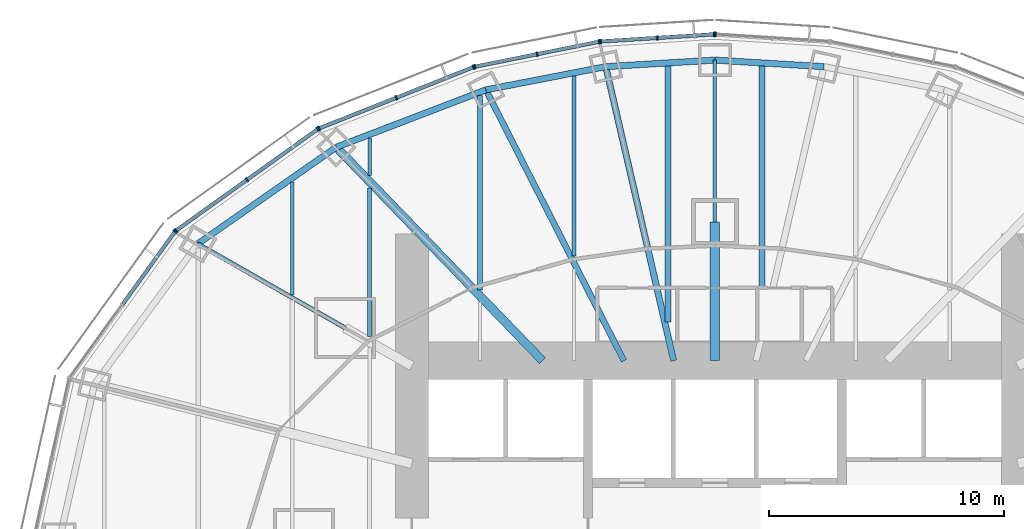
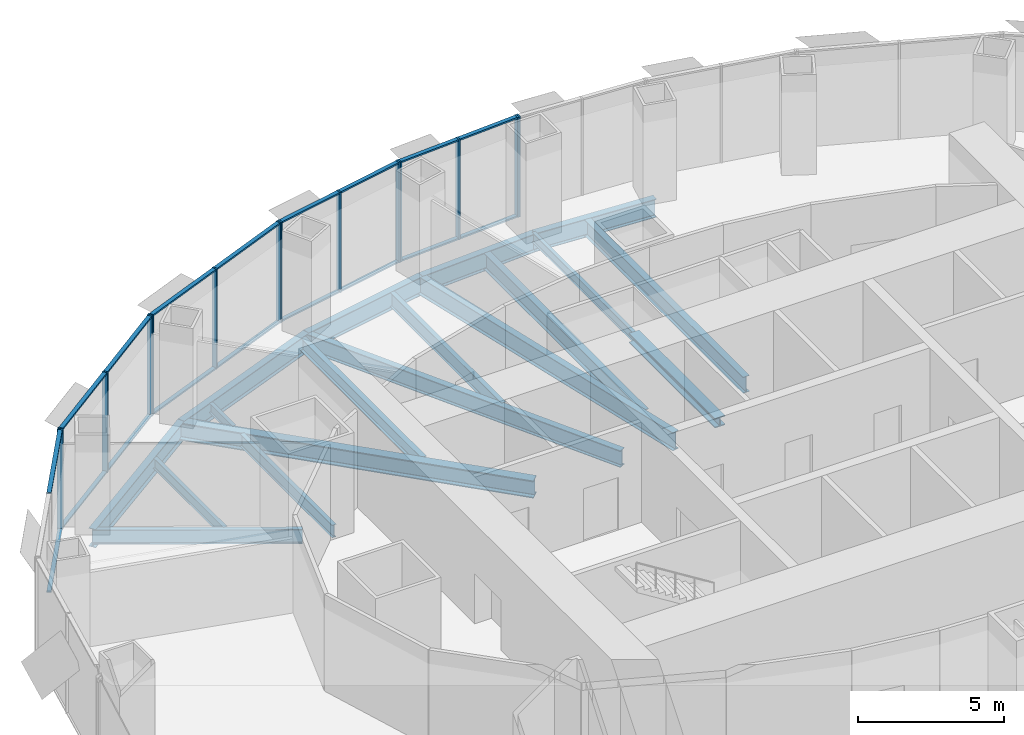
# One storey, part 7 of 18: 32 members, 18 beams, 6 elements without a shape of their own.
"""IFC4 building model written with IfcOpenShell, lengths in metres."""

from ifc_helpers import new_model, si_unit, direction, frame, origin, origin_2d, place, context, subcontext, project, spatial, rectangle, i_section, extrude, material, material_profile, profile_set, type_object, element, aggregate, save


model = new_model("IFC4")

# Units and contexts
model_context = context("Model", 3, precision=1e-05, world=origin(), true_north=direction((0.0, 1.0)))
body_context = subcontext(model_context, "Body", "Model", "MODEL_VIEW")
ifc_project = project(units=[si_unit("LENGTHUNIT", "METRE"), si_unit("AREAUNIT", "SQUARE_METRE"), si_unit("VOLUMEUNIT", "CUBIC_METRE"), si_unit("PLANEANGLEUNIT", "RADIAN"), si_unit("MASSUNIT", "GRAM", prefix="KILO")], contexts=[model_context])

# Site, building, storey
site_placement = place(None, origin())
site = spatial("IfcSite", under=ifc_project, at=site_placement, CompositionType="ELEMENT")
building_placement = place(site_placement, origin())
building = spatial("IfcBuilding", under=site, at=building_placement, Name="Lantaw Convention Tower", CompositionType="ELEMENT")
storey_placement = place(building_placement, frame((0.0, 0.0, 134.199951171875)))
storey = spatial("IfcBuildingStorey", under=building, at=storey_placement, Name="L31", CompositionType="ELEMENT", Elevation=134.199951171875)

# Beams
ifc_material_1 = material(Name="Steel ASTM A992", Category="steel")
ifc_material_profile_1 = material_profile(ifc_material_1, i_section(OverallWidth=0.2666015625, OverallDepth=0.76953125, WebThickness=0.015625, FlangeThickness=0.025390625, FilletRadius=0.0126953125, at=origin_2d()), Name="W30X132")
ifc_profile_set_1 = profile_set([ifc_material_profile_1], Name="Steel ASTM A992")
beam_type_1 = type_object("IfcBeamType", Name="Beam E W30X132", PredefinedType="SPANDREL", material=ifc_profile_set_1)
for number, where, z_axis, x_axis, name in (
    (1, (4.64501953125, 20.1201171875, -0.53466796875), (-0.998190892054, 0.06012439621, 0.0), (-0.06012439621, -0.998190892054, 0.0), "Edge beam 6"),
    (2, (0.0, 20.39990234375, -0.53466796875), (-0.998190892054, -0.06012439621, 0.0), (0.06012439621, -0.998190892054, 0.0), "Edge beam 7"),
):
    element("IfcBeam", number, at=place(storey_placement, frame(where, z_axis=z_axis, x_axis=x_axis)), inside=storey, type_object=beam_type_1, Name=name, PredefinedType="SPANDREL", context=body_context, shape_type="SweptSolid", body=[
        extrude(i_section(OverallWidth=0.2666015625, OverallDepth=0.76953125, WebThickness=0.015625, FlangeThickness=0.025390625, FilletRadius=0.0126953125, at=origin_2d()), origin(), (0.0, 0.0, 1.0), 4.6533203125),
    ])
beam_1_placement = place(storey_placement, frame((-4.64501953125, 20.1201171875, -0.53466796875), z_axis=(-0.981796805654, -0.189934284446, 0.0), x_axis=(0.189934284446, -0.981796805654, 0.0)))
element("IfcBeam", 3, at=beam_1_placement, inside=storey, type_object=beam_type_1, Name="Edge beam 8", PredefinedType="SPANDREL", context=body_context, shape_type="SweptSolid", body=[
    extrude(i_section(OverallWidth=0.2666015625, OverallDepth=0.76953125, WebThickness=0.015625, FlangeThickness=0.025390625, FilletRadius=0.0126953125, at=origin_2d()), origin(), (0.0, 0.0, 1.0), 5.1982421875),
])
beam_2_placement = place(storey_placement, frame((-9.74853515625, 19.1328125, -0.53466796875), z_axis=(-0.933691081977, -0.358079549033, 0.0), x_axis=(0.358079549033, -0.933691081977, 0.0)))
element("IfcBeam", 4, at=beam_2_placement, inside=storey, type_object=beam_type_1, Name="Edge beam 9", PredefinedType="SPANDREL", context=body_context, shape_type="SweptSolid", body=[
    extrude(i_section(OverallWidth=0.2666015625, OverallDepth=0.76953125, WebThickness=0.015625, FlangeThickness=0.025390625, FilletRadius=0.0126953125, at=origin_2d()), origin(), (0.0, 0.0, 1.0), 6.821533203125),
])
beam_3_placement = place(storey_placement, frame((-16.11767578125, 16.690185546875, -0.53466796875), z_axis=(-0.820310765287, -0.57191804339, 0.0), x_axis=(0.57191804339, -0.820310765287, 0.0)))
element("IfcBeam", 5, at=beam_3_placement, inside=storey, type_object=beam_type_1, Name="Edge beam 10", PredefinedType="SPANDREL", context=body_context, shape_type="SweptSolid", body=[
    extrude(i_section(OverallWidth=0.2666015625, OverallDepth=0.76953125, WebThickness=0.015625, FlangeThickness=0.025390625, FilletRadius=0.0126953125, at=origin_2d()), origin(), (0.0, 0.0, 1.0), 7.187744140625),
])
ifc_material_profile_2 = material_profile(ifc_material_1, i_section(OverallWidth=0.140380859375, OverallDepth=0.40380859375, WebThickness=0.007080078125, FlangeThickness=0.01123046875, FilletRadius=0.01025390625, at=origin_2d()), Name="W16X31")
ifc_profile_set_2 = profile_set([ifc_material_profile_2], Name="Steel ASTM A992")
beam_type_2 = type_object("IfcBeamType", Name="Beam G W16X31", PredefinedType="BEAM", material=ifc_profile_set_2)
beam_4_placement = place(storey_placement, frame((0.0, 13.5, -0.351806640625), z_axis=(0.0, 1.0, 0.0), x_axis=(-1.0, 0.0, 0.0)))
element("IfcBeam", 6, at=beam_4_placement, inside=storey, type_object=beam_type_2, Name="Floor girder on ray 7", PredefinedType="BEAM", context=body_context, shape_type="SweptSolid", body=[
    extrude(i_section(OverallWidth=0.140380859375, OverallDepth=0.40380859375, WebThickness=0.007080078125, FlangeThickness=0.01123046875, FilletRadius=0.01025390625, at=origin_2d()), origin(), (0.0, 0.0, 1.0), 6.89990234375),
])
ifc_material_profile_3 = material_profile(ifc_material_1, i_section(OverallWidth=0.177978515625, OverallDepth=0.599365234375, WebThickness=0.010009765625, FlangeThickness=0.012939453125, FilletRadius=0.012939453125, at=origin_2d()), Name="W24X55")
ifc_profile_set_3 = profile_set([ifc_material_profile_3], Name="Steel ASTM A992")
beam_type_3 = type_object("IfcBeamType", Name="Beam G W24X55", PredefinedType="BEAM", material=ifc_profile_set_3)
beam_5_placement = place(storey_placement, frame((-15.75, 9.0, -0.44970703125), z_axis=(-0.868245224608, 0.496135293993, 0.0), x_axis=(-0.496135293993, -0.868245224608, 0.0)))
element("IfcBeam", 7, at=beam_5_placement, inside=storey, type_object=beam_type_3, Name="Floor girder on ray 11", PredefinedType="BEAM", context=body_context, shape_type="SweptSolid", body=[
    extrude(i_section(OverallWidth=0.177978515625, OverallDepth=0.599365234375, WebThickness=0.010009765625, FlangeThickness=0.012939453125, FilletRadius=0.012939453125, at=origin_2d()), origin(), (0.0, 0.0, 1.0), 7.21435546875),
])
ifc_material_profile_4 = material_profile(ifc_material_1, i_section(OverallWidth=0.25390625, OverallDepth=0.700927734375, WebThickness=0.015380859375, FlangeThickness=0.02783203125, FilletRadius=0.01513671875, at=origin_2d()), Name="W27X129")
ifc_profile_set_4 = profile_set([ifc_material_profile_4], Name="Steel ASTM A992")
beam_type_4 = type_object("IfcBeamType", Name="Beam G W27X129", PredefinedType="BEAM", material=ifc_profile_set_4)
beam_6_placement = place(storey_placement, frame((-3.872314453125, 7.60009765625, -0.50048828125), z_axis=(-0.453991051051, 0.891006243281, 0.0), x_axis=(-0.891006243281, -0.453991051051, 0.0)))
element("IfcBeam", 8, at=beam_6_placement, inside=storey, type_object=beam_type_4, Name="Floor girder on ray 9", PredefinedType="BEAM", context=body_context, shape_type="SweptSolid", body=[
    extrude(i_section(OverallWidth=0.25390625, OverallDepth=0.700927734375, WebThickness=0.015380859375, FlangeThickness=0.02783203125, FilletRadius=0.01513671875, at=origin_2d()), origin(), (0.0, 0.0, 1.0), 12.943359375),
])
ifc_material_profile_5 = material_profile(ifc_material_1, i_section(OverallWidth=0.360595703125, OverallDepth=0.72900390625, WebThickness=0.023193359375, FlangeThickness=0.041015625, FilletRadius=0.0126953125, at=origin_2d()), Name="W27X235")
ifc_profile_set_5 = profile_set([ifc_material_profile_5], Name="Steel ASTM A992")
beam_type_5 = type_object("IfcBeamType", Name="Beam G W27X235", PredefinedType="BEAM", material=ifc_profile_set_5)
beam_7_placement = place(storey_placement, frame((-7.33935546875, 7.60009765625, -0.514404296875), z_axis=(-0.694663467407, 0.719334878239, 0.0), x_axis=(-0.719334878239, -0.694663467407, 0.0)))
element("IfcBeam", 9, at=beam_7_placement, inside=storey, type_object=beam_type_5, Name="Floor girder on ray 10", PredefinedType="BEAM", context=body_context, shape_type="SweptSolid", body=[
    extrude(i_section(OverallWidth=0.360595703125, OverallDepth=0.72900390625, WebThickness=0.023193359375, FlangeThickness=0.041015625, FilletRadius=0.0126953125, at=origin_2d()), origin(), (0.0, 0.0, 1.0), 12.63671875),
])
ifc_material_profile_6 = material_profile(ifc_material_1, i_section(OverallWidth=0.2666015625, OverallDepth=0.7568359375, WebThickness=0.013916015625, FlangeThickness=0.019287109375, FilletRadius=0.0126953125, at=origin_2d()), Name="W30X108")
ifc_profile_set_6 = profile_set([ifc_material_profile_6], Name="Steel ASTM A992")
beam_type_6 = type_object("IfcBeamType", Name="Beam G W30X108", PredefinedType="BEAM", material=ifc_profile_set_6)
beam_8_placement = place(storey_placement, frame((-1.754638671875, 7.60009765625, -0.5283203125), z_axis=(-0.224944153104, 0.974371658036, 0.0), x_axis=(-0.974371658036, -0.224944153104, 0.0)))
element("IfcBeam", 10, at=beam_8_placement, inside=storey, type_object=beam_type_6, Name="Floor girder on ray 8", PredefinedType="BEAM", context=body_context, shape_type="SweptSolid", body=[
    extrude(i_section(OverallWidth=0.2666015625, OverallDepth=0.7568359375, WebThickness=0.013916015625, FlangeThickness=0.019287109375, FilletRadius=0.0126953125, at=origin_2d()), origin(), (0.0, 0.0, 1.0), 12.849365234375),
])
ifc_material_profile_7 = material_profile(ifc_material_1, i_section(OverallWidth=0.40380859375, OverallDepth=0.406494140625, WebThickness=0.027099609375, FlangeThickness=0.043701171875, FilletRadius=0.01513671875, at=origin_2d()), Name="W14X233")
ifc_profile_set_7 = profile_set([ifc_material_profile_7], Name="Steel ASTM A992")
beam_type_7 = type_object("IfcBeamType", Name="Beam GM W14X233", PredefinedType="BEAM", material=ifc_profile_set_7)
beam_9_placement = place(storey_placement, frame((0.0, 7.60009765625, -0.353271484375), z_axis=(0.0, 1.0, 0.0), x_axis=(-1.0, 0.0, 0.0)))
element("IfcBeam", 11, at=beam_9_placement, inside=storey, type_object=beam_type_7, Name="Core link beam on ray 7", PredefinedType="BEAM", context=body_context, shape_type="SweptSolid", body=[
    extrude(i_section(OverallWidth=0.40380859375, OverallDepth=0.406494140625, WebThickness=0.027099609375, FlangeThickness=0.043701171875, FilletRadius=0.01513671875, at=origin_2d()), origin(), (0.0, 0.0, 1.0), 5.89990234375),
])
ifc_material_profile_8 = material_profile(ifc_material_1, i_section(OverallWidth=0.140380859375, OverallDepth=0.40380859375, WebThickness=0.007080078125, FlangeThickness=0.01123046875, FilletRadius=0.01025390625, at=origin_2d()), Name="W16X31")
ifc_profile_set_8 = profile_set([ifc_material_profile_8], Name="Steel ASTM A992")
beam_type_8 = type_object("IfcBeamType", Name="Beam J W16X31", PredefinedType="JOIST", material=ifc_profile_set_8)
beam_10_placement = place(storey_placement, frame((-14.699951171875, 15.48193359375, -0.351806640625), z_axis=(0.0, 1.0, 0.0), x_axis=(-1.0, 0.0, 0.0)))
element("IfcBeam", 12, at=beam_10_placement, inside=storey, type_object=beam_type_8, Name="Floor joist", PredefinedType="JOIST", context=body_context, shape_type="SweptSolid", body=[
    extrude(i_section(OverallWidth=0.140380859375, OverallDepth=0.40380859375, WebThickness=0.007080078125, FlangeThickness=0.01123046875, FilletRadius=0.01025390625, at=origin_2d()), origin(), (0.0, 0.0, 1.0), 1.609130859375),
])
ifc_material_profile_9 = material_profile(ifc_material_1, i_section(OverallWidth=0.15234375, OverallDepth=0.449462890625, WebThickness=0.007568359375, FlangeThickness=0.0107421875, FilletRadius=0.01025390625, at=origin_2d()), Name="W18X35")
ifc_profile_set_9 = profile_set([ifc_material_profile_9], Name="Steel ASTM A992")
beam_type_9 = type_object("IfcBeamType", Name="Beam J W18X35", PredefinedType="JOIST", material=ifc_profile_set_9)
beam_11_placement = place(storey_placement, frame((-18.0, 10.38818359375, -0.374755859375), z_axis=(0.0, 1.0, 0.0), x_axis=(-1.0, 0.0, 0.0)))
element("IfcBeam", 13, at=beam_11_placement, inside=storey, type_object=beam_type_9, Name="Floor joist", PredefinedType="JOIST", context=body_context, shape_type="SweptSolid", body=[
    extrude(i_section(OverallWidth=0.15234375, OverallDepth=0.449462890625, WebThickness=0.007568359375, FlangeThickness=0.0107421875, FilletRadius=0.01025390625, at=origin_2d()), origin(), (0.0, 0.0, 1.0), 4.8271484375),
])
ifc_material_profile_10 = material_profile(ifc_material_1, i_section(OverallWidth=0.1650390625, OverallDepth=0.52587890625, WebThickness=0.0087890625, FlangeThickness=0.011474609375, FilletRadius=0.0126953125, at=origin_2d()), Name="W21X44")
ifc_profile_set_10 = profile_set([ifc_material_profile_10], Name="Steel ASTM A992")
beam_type_10 = type_object("IfcBeamType", Name="Beam J W21X44", PredefinedType="JOIST", material=ifc_profile_set_10)
beam_12_placement = place(storey_placement, frame((-14.699951171875, 8.632568359375, -0.412841796875), z_axis=(0.0, 1.0, 0.0), x_axis=(-1.0, 0.0, 0.0)))
element("IfcBeam", 14, at=beam_12_placement, inside=storey, type_object=beam_type_10, Name="Floor joist", PredefinedType="JOIST", context=body_context, shape_type="SweptSolid", body=[
    extrude(i_section(OverallWidth=0.1650390625, OverallDepth=0.52587890625, WebThickness=0.0087890625, FlangeThickness=0.011474609375, FilletRadius=0.0126953125, at=origin_2d()), origin(), (0.0, 0.0, 1.0), 6.330078125),
])
ifc_material_profile_11 = material_profile(ifc_material_1, i_section(OverallWidth=0.2099609375, OverallDepth=0.535888671875, WebThickness=0.010986328125, FlangeThickness=0.017333984375, FilletRadius=0.012939453125, at=origin_2d()), Name="W21X68")
ifc_profile_set_11 = profile_set([ifc_material_profile_11], Name="Steel ASTM A992")
beam_type_11 = type_object("IfcBeamType", Name="Beam J W21X68", PredefinedType="JOIST", material=ifc_profile_set_11)
beam_13_placement = place(storey_placement, frame((-10.0, 10.614990234375, -0.41796875), z_axis=(0.0, 1.0, 0.0), x_axis=(-1.0, 0.0, 0.0)))
element("IfcBeam", 15, at=beam_13_placement, inside=storey, type_object=beam_type_11, Name="Floor joist", PredefinedType="JOIST", context=body_context, shape_type="SweptSolid", body=[
    extrude(i_section(OverallWidth=0.2099609375, OverallDepth=0.535888671875, WebThickness=0.010986328125, FlangeThickness=0.017333984375, FilletRadius=0.012939453125, at=origin_2d()), origin(), (0.0, 0.0, 1.0), 8.278564453125),
])
ifc_material_profile_12 = material_profile(ifc_material_1, i_section(OverallWidth=0.177978515625, OverallDepth=0.599365234375, WebThickness=0.010009765625, FlangeThickness=0.012939453125, FilletRadius=0.012939453125, at=origin_2d()), Name="W24X55")
ifc_profile_set_12 = profile_set([ifc_material_profile_12], Name="Steel ASTM A992")
beam_type_12 = type_object("IfcBeamType", Name="Beam J W24X55", PredefinedType="JOIST", material=ifc_profile_set_12)
beam_14_placement = place(storey_placement, frame((-6.0, 12.055419921875, -0.44970703125), z_axis=(0.0, 1.0, 0.0), x_axis=(-1.0, 0.0, 0.0)))
element("IfcBeam", 16, at=beam_14_placement, inside=storey, type_object=beam_type_12, Name="Floor joist", PredefinedType="JOIST", context=body_context, shape_type="SweptSolid", body=[
    extrude(i_section(OverallWidth=0.177978515625, OverallDepth=0.599365234375, WebThickness=0.010009765625, FlangeThickness=0.012939453125, FilletRadius=0.012939453125, at=origin_2d()), origin(), (0.0, 0.0, 1.0), 7.666748046875),
])
ifc_material_profile_13 = material_profile(ifc_material_1, i_section(OverallWidth=0.25390625, OverallDepth=0.683349609375, WebThickness=0.012451171875, FlangeThickness=0.01904296875, FilletRadius=0.01513671875, at=origin_2d()), Name="W27X94")
ifc_profile_set_13 = profile_set([ifc_material_profile_13], Name="Steel ASTM A992")
beam_type_13 = type_object("IfcBeamType", Name="Beam J W27X94", PredefinedType="JOIST", material=ifc_profile_set_13)
for number, where, z_axis, x_axis, name in (
    (17, (-2.0, 9.255859375, -0.49169921875), (0.0, 1.0, 0.0), (-1.0, 0.0, 0.0), "Floor joist"),
    (18, (2.0, 9.255859375, -0.49169921875), (0.0, 1.0, 0.0), (-1.0, 0.0, 0.0), "Floor joist"),
):
    element("IfcBeam", number, at=place(storey_placement, frame(where, z_axis=z_axis, x_axis=x_axis)), inside=storey, type_object=beam_type_13, Name=name, PredefinedType="JOIST", context=body_context, shape_type="SweptSolid", body=[
        extrude(i_section(OverallWidth=0.25390625, OverallDepth=0.683349609375, WebThickness=0.012451171875, FlangeThickness=0.01904296875, FilletRadius=0.01513671875, at=origin_2d()), origin(), (0.0, 0.0, 1.0), 10.889892578125),
    ])

# Curtain wall, member
ifc_material_2 = material(Name="Aluminium framed curtain wall", Category="aluminium")
curtain_wall_type = type_object("IfcCurtainWallType", Name="Office curtain wall low rise, pale aluminium", PredefinedType="USERDEFINED", material=ifc_material_2)
curtain_wall_1_placement = place(storey_placement, origin())
curtain_wall_1 = element("IfcCurtainWall", 19, at=curtain_wall_1_placement, inside=storey, type_object=curtain_wall_type, Name="Office curtain wall low rise, pale aluminium L31", ObjectType="UNITISED CURTAIN WALL", PredefinedType="USERDEFINED")
ifc_material_3 = material(Name="Aluminium 6063-T6", Category="aluminium")
ifc_material_profile_14 = material_profile(ifc_material_3, rectangle(XDim=0.199951171875, YDim=0.06494140625, at=origin_2d()), Name="CW-O1 mullion 65x200")
ifc_profile_set_14 = profile_set([ifc_material_profile_14], Name="Aluminium 6063-T6")
member_type_1 = type_object("IfcMemberType", Name="CW-O1 mullion 65x200", PredefinedType="MULLION", material=ifc_profile_set_14)
member_1_placement = place(storey_placement, frame((0.032470703125, 21.498046875, -0.14990234375), z_axis=(0.0, 0.0, 1.0), x_axis=(-0.062865059466, -0.998022035978, 0.0)))
member_1 = element("IfcMember", 20, at=member_1_placement, type_object=member_type_1, Name="CW-O1 mullion 3", PredefinedType="MULLION", context=body_context, shape_type="SweptSolid", body=[
    extrude(rectangle(XDim=0.199951171875, YDim=0.06494140625, at=origin_2d()), origin(), (0.0, 0.0, 1.0), 4.199951171875),
])
aggregate(curtain_wall_1, [member_1])

# Curtain wall, members
curtain_wall_2_placement = place(storey_placement, origin())
curtain_wall_2 = element("IfcCurtainWall", 21, at=curtain_wall_2_placement, inside=storey, type_object=curtain_wall_type, Name="Office curtain wall low rise, pale aluminium L31", ObjectType="UNITISED CURTAIN WALL", PredefinedType="USERDEFINED")
member_2_placement = place(storey_placement, frame((-0.032470703125, 21.498046875, -0.14990234375), z_axis=(0.0, 0.0, 1.0), x_axis=(0.062865059466, -0.998022035978, 0.0)))
member_2 = element("IfcMember", 22, at=member_2_placement, type_object=member_type_1, Name="CW-O1 mullion 1", PredefinedType="MULLION", context=body_context, shape_type="SweptSolid", body=[
    extrude(rectangle(XDim=0.199951171875, YDim=0.06494140625, at=origin_2d()), origin(), (0.0, 0.0, 1.0), 4.199951171875),
])
member_3_placement = place(storey_placement, frame((-2.4462890625, 21.345947265625, -0.14990234375), z_axis=(0.0, 0.0, 1.0), x_axis=(0.062865059466, -0.998022035978, 0.0)))
member_3 = element("IfcMember", 23, at=member_3_placement, type_object=member_type_1, Name="CW-O1 mullion 2", PredefinedType="MULLION", context=body_context, shape_type="SweptSolid", body=[
    extrude(rectangle(XDim=0.199951171875, YDim=0.06494140625, at=origin_2d()), origin(), (0.0, 0.0, 1.0), 4.199951171875),
])
member_4_placement = place(storey_placement, frame((-4.860107421875, 21.19384765625, -0.14990234375), z_axis=(0.0, 0.0, 1.0), x_axis=(0.062865059466, -0.998022035978, 0.0)))
member_4 = element("IfcMember", 24, at=member_4_placement, type_object=member_type_1, Name="CW-O1 mullion 3", PredefinedType="MULLION", context=body_context, shape_type="SweptSolid", body=[
    extrude(rectangle(XDim=0.199951171875, YDim=0.06494140625, at=origin_2d()), origin(), (0.0, 0.0, 1.0), 4.199951171875),
])

curtain_wall_3_placement = place(storey_placement, origin())
curtain_wall_3 = element("IfcCurtainWall", 25, at=curtain_wall_3_placement, inside=storey, type_object=curtain_wall_type, Name="Office curtain wall low rise, pale aluminium L31", ObjectType="UNITISED CURTAIN WALL", PredefinedType="USERDEFINED")
member_5_placement = place(storey_placement, frame((-4.92431640625, 21.185302734375, -0.14990234375), z_axis=(0.0, 0.0, 1.0), x_axis=(0.197506809659, -0.980301514912, 0.0)))
member_5 = element("IfcMember", 26, at=member_5_placement, type_object=member_type_1, Name="CW-O1 mullion 1", PredefinedType="MULLION", context=body_context, shape_type="SweptSolid", body=[
    extrude(rectangle(XDim=0.199951171875, YDim=0.06494140625, at=origin_2d()), origin(), (0.0, 0.0, 1.0), 4.199951171875),
])
member_6_placement = place(storey_placement, frame((-7.5703125, 20.65234375, -0.14990234375), z_axis=(0.0, 0.0, 1.0), x_axis=(0.197506809659, -0.980301514912, 0.0)))
member_6 = element("IfcMember", 27, at=member_6_placement, type_object=member_type_1, Name="CW-O1 mullion 2", PredefinedType="MULLION", context=body_context, shape_type="SweptSolid", body=[
    extrude(rectangle(XDim=0.199951171875, YDim=0.06494140625, at=origin_2d()), origin(), (0.0, 0.0, 1.0), 4.199951171875),
])
member_7_placement = place(storey_placement, frame((-10.216064453125, 20.119140625, -0.14990234375), z_axis=(0.0, 0.0, 1.0), x_axis=(0.197506809659, -0.980301514912, 0.0)))
member_7 = element("IfcMember", 28, at=member_7_placement, type_object=member_type_1, Name="CW-O1 mullion 3", PredefinedType="MULLION", context=body_context, shape_type="SweptSolid", body=[
    extrude(rectangle(XDim=0.199951171875, YDim=0.06494140625, at=origin_2d()), origin(), (0.0, 0.0, 1.0), 4.199951171875),
])

curtain_wall_4_placement = place(storey_placement, origin())
curtain_wall_4 = element("IfcCurtainWall", 29, at=curtain_wall_4_placement, inside=storey, type_object=curtain_wall_type, Name="Office curtain wall low rise, pale aluminium L31", ObjectType="UNITISED CURTAIN WALL", PredefinedType="USERDEFINED")
member_8_placement = place(storey_placement, frame((-10.2783203125, 20.100830078125, -0.14990234375), z_axis=(0.0, 0.0, 1.0), x_axis=(0.368701907483, -0.929547687544, 0.0)))
member_8 = element("IfcMember", 30, at=member_8_placement, type_object=member_type_1, Name="CW-O1 mullion 1", PredefinedType="MULLION", context=body_context, shape_type="SweptSolid", body=[
    extrude(rectangle(XDim=0.199951171875, YDim=0.06494140625, at=origin_2d()), origin(), (0.0, 0.0, 1.0), 4.199951171875),
])
member_9_placement = place(storey_placement, frame((-13.56494140625, 18.797119140625, -0.14990234375), z_axis=(0.0, 0.0, 1.0), x_axis=(0.368701907483, -0.929547687544, 0.0)))
member_9 = element("IfcMember", 31, at=member_9_placement, type_object=member_type_1, Name="CW-O1 mullion 2", PredefinedType="MULLION", context=body_context, shape_type="SweptSolid", body=[
    extrude(rectangle(XDim=0.199951171875, YDim=0.06494140625, at=origin_2d()), origin(), (0.0, 0.0, 1.0), 4.199951171875),
])
member_10_placement = place(storey_placement, frame((-16.8515625, 17.49365234375, -0.14990234375), z_axis=(0.0, 0.0, 1.0), x_axis=(0.368701907483, -0.929547687544, 0.0)))
member_10 = element("IfcMember", 32, at=member_10_placement, type_object=member_type_1, Name="CW-O1 mullion 3", PredefinedType="MULLION", context=body_context, shape_type="SweptSolid", body=[
    extrude(rectangle(XDim=0.199951171875, YDim=0.06494140625, at=origin_2d()), origin(), (0.0, 0.0, 1.0), 4.199951171875),
])

curtain_wall_5_placement = place(storey_placement, origin())
curtain_wall_5 = element("IfcCurtainWall", 33, at=curtain_wall_5_placement, inside=storey, type_object=curtain_wall_type, Name="Office curtain wall low rise, pale aluminium L31", ObjectType="UNITISED CURTAIN WALL", PredefinedType="USERDEFINED")
member_11_placement = place(storey_placement, frame((-16.908203125, 17.462646484375, -0.14990234375), z_axis=(0.0, 0.0, 1.0), x_axis=(0.581972695693, -0.813208325995, 0.0)))
member_11 = element("IfcMember", 34, at=member_11_placement, type_object=member_type_1, Name="CW-O1 mullion 1", PredefinedType="MULLION", context=body_context, shape_type="SweptSolid", body=[
    extrude(rectangle(XDim=0.199951171875, YDim=0.06494140625, at=origin_2d()), origin(), (0.0, 0.0, 1.0), 4.199951171875),
])
member_12_placement = place(storey_placement, frame((-19.92529296875, 15.303466796875, -0.14990234375), z_axis=(0.0, 0.0, 1.0), x_axis=(0.581972695693, -0.813208325995, 0.0)))
member_12 = element("IfcMember", 35, at=member_12_placement, type_object=member_type_1, Name="CW-O1 mullion 2", PredefinedType="MULLION", context=body_context, shape_type="SweptSolid", body=[
    extrude(rectangle(XDim=0.199951171875, YDim=0.06494140625, at=origin_2d()), origin(), (0.0, 0.0, 1.0), 4.199951171875),
])
member_13_placement = place(storey_placement, frame((-22.942626953125, 13.14404296875, -0.14990234375), z_axis=(0.0, 0.0, 1.0), x_axis=(0.581972695693, -0.813208325995, 0.0)))
member_13 = element("IfcMember", 36, at=member_13_placement, type_object=member_type_1, Name="CW-O1 mullion 3", PredefinedType="MULLION", context=body_context, shape_type="SweptSolid", body=[
    extrude(rectangle(XDim=0.199951171875, YDim=0.06494140625, at=origin_2d()), origin(), (0.0, 0.0, 1.0), 4.199951171875),
])

# Curtain wall, member
curtain_wall_6_placement = place(storey_placement, origin())
curtain_wall_6 = element("IfcCurtainWall", 37, at=curtain_wall_6_placement, inside=storey, type_object=curtain_wall_type, Name="Office curtain wall low rise, pale aluminium L31", ObjectType="UNITISED CURTAIN WALL", PredefinedType="USERDEFINED")
member_14_placement = place(storey_placement, frame((-22.988037109375, 13.098876953125, -0.14990234375), z_axis=(0.0, 0.0, 1.0), x_axis=(0.811384633629, -0.584512597221, 0.0)))
member_14 = element("IfcMember", 38, at=member_14_placement, type_object=member_type_1, Name="CW-O1 mullion 1", PredefinedType="MULLION", context=body_context, shape_type="SweptSolid", body=[
    extrude(rectangle(XDim=0.199951171875, YDim=0.06494140625, at=origin_2d()), origin(), (0.0, 0.0, 1.0), 4.199951171875),
])

# Member
ifc_material_profile_15 = material_profile(ifc_material_3, rectangle(XDim=0.159912109375, YDim=0.06494140625, at=origin_2d()), Name="CW-O1 transom 65x160")
ifc_profile_set_15 = profile_set([ifc_material_profile_15], Name="Aluminium 6063-T6")
member_type_2 = type_object("IfcMemberType", Name="CW-O1 transom 65x160", PredefinedType="USERDEFINED", material=ifc_profile_set_15)
member_15_placement = place(storey_placement, frame((-0.06494140625, 21.495849609375, -0.117431640625), z_axis=(-0.998022188463, -0.062862638625, 0.0), x_axis=(0.062862638625, -0.998022188463, 0.0)))
member_15 = element("IfcMember", 39, at=member_15_placement, type_object=member_type_2, Name="CW-O1 transom 1.1", ObjectType="TRANSOM", PredefinedType="USERDEFINED", context=body_context, shape_type="SweptSolid", body=[
    extrude(rectangle(XDim=0.159912109375, YDim=0.06494140625, at=origin_2d()), origin(), (0.0, 0.0, 1.0), 2.353515625),
])

member_16_placement = place(storey_placement, frame((-0.06494140625, 21.495849609375, 4.017578125), z_axis=(-0.998022188463, -0.062862638625, 0.0), x_axis=(0.062862638625, -0.998022188463, 0.0)))
member_16 = element("IfcMember", 40, at=member_16_placement, type_object=member_type_2, Name="CW-O1 transom 1.2", ObjectType="TRANSOM", PredefinedType="USERDEFINED", context=body_context, shape_type="SweptSolid", body=[
    extrude(rectangle(XDim=0.159912109375, YDim=0.06494140625, at=origin_2d()), origin(), (0.0, 0.0, 1.0), 2.353515625),
])

member_17_placement = place(storey_placement, frame((-2.478759765625, 21.34375, -0.117431640625), z_axis=(-0.998022188463, -0.062862638625, 0.0), x_axis=(0.062862638625, -0.998022188463, 0.0)))
member_17 = element("IfcMember", 41, at=member_17_placement, type_object=member_type_2, Name="CW-O1 transom 2.1", ObjectType="TRANSOM", PredefinedType="USERDEFINED", context=body_context, shape_type="SweptSolid", body=[
    extrude(rectangle(XDim=0.159912109375, YDim=0.06494140625, at=origin_2d()), origin(), (0.0, 0.0, 1.0), 2.353515625),
])

member_18_placement = place(storey_placement, frame((-2.478759765625, 21.34375, 4.017578125), z_axis=(-0.998022188463, -0.062862638625, 0.0), x_axis=(0.062862638625, -0.998022188463, 0.0)))
member_18 = element("IfcMember", 42, at=member_18_placement, type_object=member_type_2, Name="CW-O1 transom 2.2", ObjectType="TRANSOM", PredefinedType="USERDEFINED", context=body_context, shape_type="SweptSolid", body=[
    extrude(rectangle(XDim=0.159912109375, YDim=0.06494140625, at=origin_2d()), origin(), (0.0, 0.0, 1.0), 2.353515625),
])

aggregate(curtain_wall_2, [member_2, member_3, member_4, member_15, member_16, member_17, member_18])

member_19_placement = place(storey_placement, frame((-4.956298828125, 21.178955078125, -0.117431640625), z_axis=(-0.980298027092, -0.197524120247, 0.0), x_axis=(0.197524120247, -0.980298027092, 0.0)))
member_19 = element("IfcMember", 43, at=member_19_placement, type_object=member_type_2, Name="CW-O1 transom 1.1", ObjectType="TRANSOM", PredefinedType="USERDEFINED", context=body_context, shape_type="SweptSolid", body=[
    extrude(rectangle(XDim=0.159912109375, YDim=0.06494140625, at=origin_2d()), origin(), (0.0, 0.0, 1.0), 2.634033203125),
])

member_20_placement = place(storey_placement, frame((-4.956298828125, 21.178955078125, 4.017578125), z_axis=(-0.980298027092, -0.197524120247, 0.0), x_axis=(0.197524120247, -0.980298027092, 0.0)))
member_20 = element("IfcMember", 44, at=member_20_placement, type_object=member_type_2, Name="CW-O1 transom 1.2", ObjectType="TRANSOM", PredefinedType="USERDEFINED", context=body_context, shape_type="SweptSolid", body=[
    extrude(rectangle(XDim=0.159912109375, YDim=0.06494140625, at=origin_2d()), origin(), (0.0, 0.0, 1.0), 2.634033203125),
])

member_21_placement = place(storey_placement, frame((-7.60205078125, 20.64599609375, -0.117431640625), z_axis=(-0.980301643003, -0.197506173891, 0.0), x_axis=(0.197506173891, -0.980301643003, 0.0)))
member_21 = element("IfcMember", 45, at=member_21_placement, type_object=member_type_2, Name="CW-O1 transom 2.1", ObjectType="TRANSOM", PredefinedType="USERDEFINED", context=body_context, shape_type="SweptSolid", body=[
    extrude(rectangle(XDim=0.159912109375, YDim=0.06494140625, at=origin_2d()), origin(), (0.0, 0.0, 1.0), 2.63427734375),
])

member_22_placement = place(storey_placement, frame((-7.60205078125, 20.64599609375, 4.017578125), z_axis=(-0.980301643003, -0.197506173891, 0.0), x_axis=(0.197506173891, -0.980301643003, 0.0)))
member_22 = element("IfcMember", 46, at=member_22_placement, type_object=member_type_2, Name="CW-O1 transom 2.2", ObjectType="TRANSOM", PredefinedType="USERDEFINED", context=body_context, shape_type="SweptSolid", body=[
    extrude(rectangle(XDim=0.159912109375, YDim=0.06494140625, at=origin_2d()), origin(), (0.0, 0.0, 1.0), 2.63427734375),
])

aggregate(curtain_wall_3, [member_5, member_6, member_7, member_19, member_20, member_21, member_22])

member_23_placement = place(storey_placement, frame((-10.308349609375, 20.0888671875, -0.117431640625), z_axis=(-0.929540081544, -0.368721082668, 0.0), x_axis=(0.368721082668, -0.929540081544, 0.0)))
member_23 = element("IfcMember", 47, at=member_23_placement, type_object=member_type_2, Name="CW-O1 transom 1.1", ObjectType="TRANSOM", PredefinedType="USERDEFINED", context=body_context, shape_type="SweptSolid", body=[
    extrude(rectangle(XDim=0.159912109375, YDim=0.06494140625, at=origin_2d()), origin(), (0.0, 0.0, 1.0), 3.470947265625),
])

member_24_placement = place(storey_placement, frame((-10.308349609375, 20.0888671875, 4.017578125), z_axis=(-0.929540081544, -0.368721082668, 0.0), x_axis=(0.368721082668, -0.929540081544, 0.0)))
member_24 = element("IfcMember", 48, at=member_24_placement, type_object=member_type_2, Name="CW-O1 transom 1.2", ObjectType="TRANSOM", PredefinedType="USERDEFINED", context=body_context, shape_type="SweptSolid", body=[
    extrude(rectangle(XDim=0.159912109375, YDim=0.06494140625, at=origin_2d()), origin(), (0.0, 0.0, 1.0), 3.470947265625),
])

member_25_placement = place(storey_placement, frame((-13.594970703125, 18.78515625, -0.117431640625), z_axis=(-0.929564188507, -0.368660303592, 0.0), x_axis=(0.368660303592, -0.929564188507, 0.0)))
member_25 = element("IfcMember", 49, at=member_25_placement, type_object=member_type_2, Name="CW-O1 transom 2.1", ObjectType="TRANSOM", PredefinedType="USERDEFINED", context=body_context, shape_type="SweptSolid", body=[
    extrude(rectangle(XDim=0.159912109375, YDim=0.06494140625, at=origin_2d()), origin(), (0.0, 0.0, 1.0), 3.470703125),
])

member_26_placement = place(storey_placement, frame((-13.594970703125, 18.78515625, 4.017578125), z_axis=(-0.929564188507, -0.368660303592, 0.0), x_axis=(0.368660303592, -0.929564188507, 0.0)))
member_26 = element("IfcMember", 50, at=member_26_placement, type_object=member_type_2, Name="CW-O1 transom 2.2", ObjectType="TRANSOM", PredefinedType="USERDEFINED", context=body_context, shape_type="SweptSolid", body=[
    extrude(rectangle(XDim=0.159912109375, YDim=0.06494140625, at=origin_2d()), origin(), (0.0, 0.0, 1.0), 3.470703125),
])

aggregate(curtain_wall_4, [member_8, member_9, member_10, member_23, member_24, member_25, member_26])

member_27_placement = place(storey_placement, frame((-16.9345703125, 17.44384765625, -0.117431640625), z_axis=(-0.813190089133, -0.581998177777, 0.0), x_axis=(0.581998177777, -0.813190089133, 0.0)))
member_27 = element("IfcMember", 51, at=member_27_placement, type_object=member_type_2, Name="CW-O1 transom 1.1", ObjectType="TRANSOM", PredefinedType="USERDEFINED", context=body_context, shape_type="SweptSolid", body=[
    extrude(rectangle(XDim=0.159912109375, YDim=0.06494140625, at=origin_2d()), origin(), (0.0, 0.0, 1.0), 3.645263671875),
])

member_28_placement = place(storey_placement, frame((-16.9345703125, 17.44384765625, 4.017578125), z_axis=(-0.813190089133, -0.581998177777, 0.0), x_axis=(0.581998177777, -0.813190089133, 0.0)))
member_28 = element("IfcMember", 52, at=member_28_placement, type_object=member_type_2, Name="CW-O1 transom 1.2", ObjectType="TRANSOM", PredefinedType="USERDEFINED", context=body_context, shape_type="SweptSolid", body=[
    extrude(rectangle(XDim=0.159912109375, YDim=0.06494140625, at=origin_2d()), origin(), (0.0, 0.0, 1.0), 3.645263671875),
])

member_29_placement = place(storey_placement, frame((-19.951904296875, 15.284423828125, -0.117431640625), z_axis=(-0.813221785972, -0.581953887194, 0.0), x_axis=(0.581953887194, -0.813221785972, 0.0)))
member_29 = element("IfcMember", 53, at=member_29_placement, type_object=member_type_2, Name="CW-O1 transom 2.1", ObjectType="TRANSOM", PredefinedType="USERDEFINED", context=body_context, shape_type="SweptSolid", body=[
    extrude(rectangle(XDim=0.159912109375, YDim=0.06494140625, at=origin_2d()), origin(), (0.0, 0.0, 1.0), 3.645263671875),
])

member_30_placement = place(storey_placement, frame((-19.951904296875, 15.284423828125, 4.017578125), z_axis=(-0.813221785972, -0.581953887194, 0.0), x_axis=(0.581953887194, -0.813221785972, 0.0)))
member_30 = element("IfcMember", 54, at=member_30_placement, type_object=member_type_2, Name="CW-O1 transom 2.2", ObjectType="TRANSOM", PredefinedType="USERDEFINED", context=body_context, shape_type="SweptSolid", body=[
    extrude(rectangle(XDim=0.159912109375, YDim=0.06494140625, at=origin_2d()), origin(), (0.0, 0.0, 1.0), 3.645263671875),
])

aggregate(curtain_wall_5, [member_11, member_12, member_13, member_27, member_28, member_29, member_30])

member_31_placement = place(storey_placement, frame((-23.007080078125, 13.072509765625, -0.117431640625), z_axis=(-0.584512973979, -0.811384362217, 0.0), x_axis=(0.811384362217, -0.584512973979, 0.0)))
member_31 = element("IfcMember", 55, at=member_31_placement, type_object=member_type_2, Name="CW-O1 transom 1.1", ObjectType="TRANSOM", PredefinedType="USERDEFINED", context=body_context, shape_type="SweptSolid", body=[
    extrude(rectangle(XDim=0.159912109375, YDim=0.06494140625, at=origin_2d()), origin(), (0.0, 0.0, 1.0), 3.767578125),
])

member_32_placement = place(storey_placement, frame((-23.007080078125, 13.072509765625, 4.017578125), z_axis=(-0.584512973979, -0.811384362217, 0.0), x_axis=(0.811384362217, -0.584512973979, 0.0)))
member_32 = element("IfcMember", 56, at=member_32_placement, type_object=member_type_2, Name="CW-O1 transom 1.2", ObjectType="TRANSOM", PredefinedType="USERDEFINED", context=body_context, shape_type="SweptSolid", body=[
    extrude(rectangle(XDim=0.159912109375, YDim=0.06494140625, at=origin_2d()), origin(), (0.0, 0.0, 1.0), 3.767578125),
])

aggregate(curtain_wall_6, [member_14, member_31, member_32])

save(model, "model.ifc")
